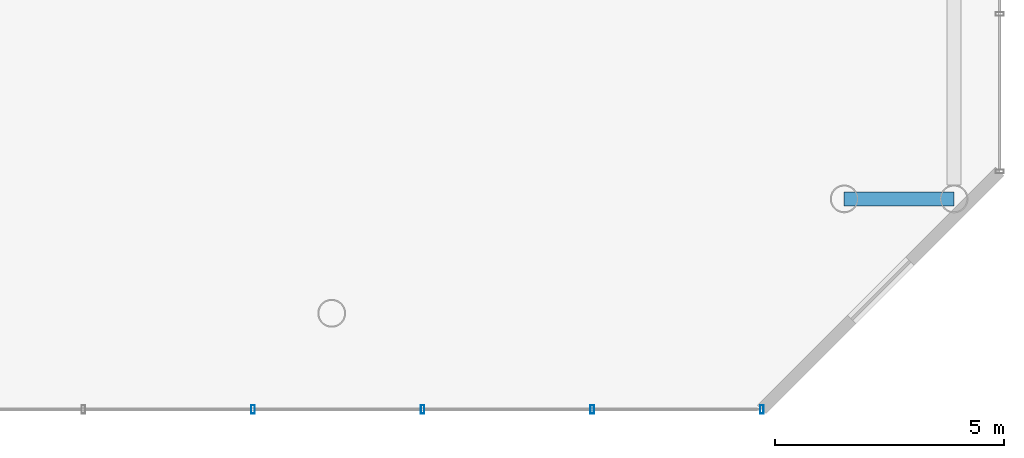
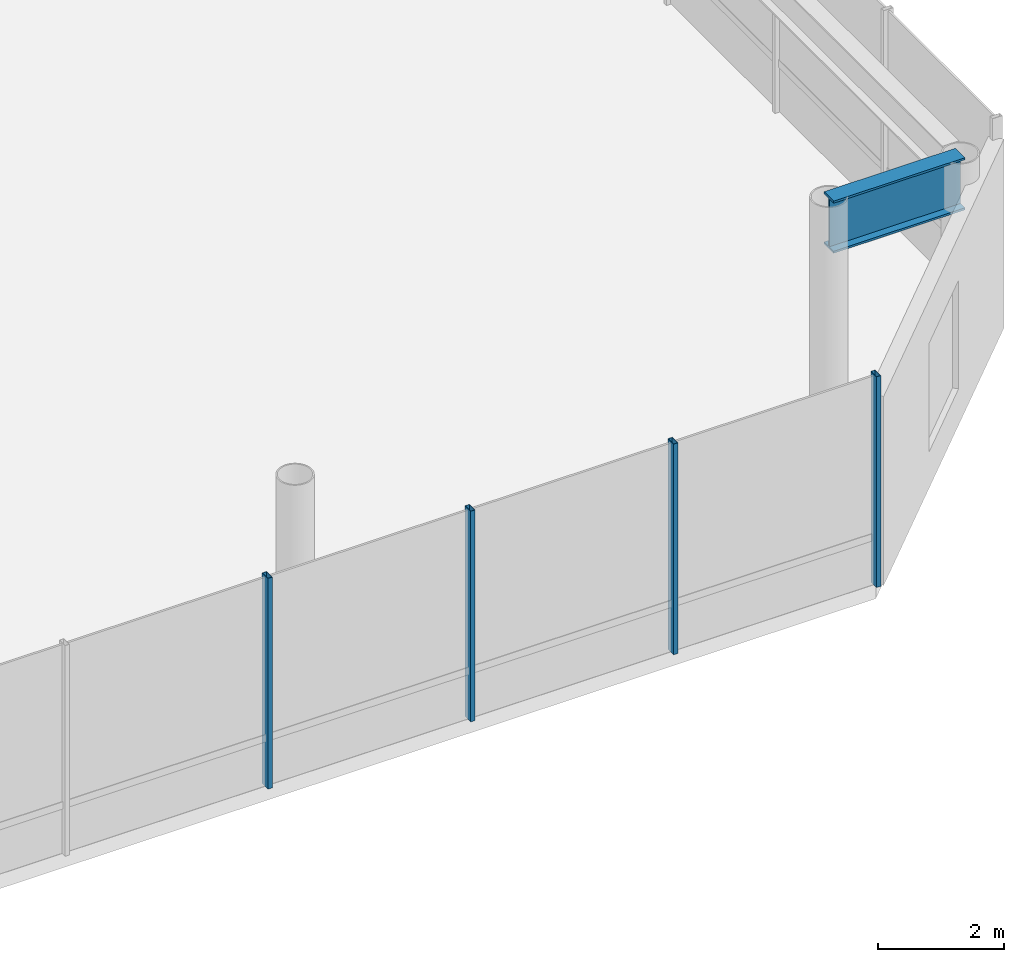
# One storey, part 14 of 33: 4 members, 1 beam, 1 element without a shape of its own.
"""IFC4 building model written with IfcOpenShell, lengths in metres."""

from ifc_helpers import new_model, si_unit, direction, frame, origin, origin_2d, place, context, subcontext, project, spatial, hollow_rectangle, i_section, extrude, material, layer, layer_set, material_profile, profile_set, type_object, element, aggregate, save


model = new_model("IFC4")

# Units and contexts
model_context = context("Model", 3, precision=1e-05, world=origin(), true_north=direction((0.0, 1.0)))
body_context = subcontext(model_context, "Body", "Model", "MODEL_VIEW")
ifc_project = project(units=[si_unit("LENGTHUNIT", "METRE"), si_unit("AREAUNIT", "SQUARE_METRE"), si_unit("VOLUMEUNIT", "CUBIC_METRE"), si_unit("PLANEANGLEUNIT", "RADIAN"), si_unit("MASSUNIT", "GRAM", prefix="KILO")], contexts=[model_context])

# Site, building, storey
site_placement = place(None, origin())
site = spatial("IfcSite", under=ifc_project, at=site_placement, CompositionType="ELEMENT")
building_placement = place(site_placement, origin())
building = spatial("IfcBuilding", under=site, at=building_placement, Name="Zarrinselat Tower", CompositionType="ELEMENT")
storey_placement = place(building_placement, frame((0.0, 0.0, 18.360107421875)))
storey = spatial("IfcBuildingStorey", under=building, at=storey_placement, Name="L04", CompositionType="ELEMENT", Elevation=18.360107421875)

# Beam
ifc_material_1 = material(Name="Steel S460M", Category="steel")
ifc_material_profile_1 = material_profile(ifc_material_1, i_section(OverallWidth=0.302001953125, OverallDepth=1.008056640625, WebThickness=0.02099609375, FlangeThickness=0.0400390625, at=origin_2d()), Name="HEM 1000")
ifc_profile_set_1 = profile_set([ifc_material_profile_1], Name="Steel S460M")
beam_type = type_object("IfcBeamType", Name="BM-PDTR-HEM1000", PredefinedType="BEAM", material=ifc_profile_set_1)
beam_placement = place(storey_placement, frame((68.0, 11.0, 3.56591796875), z_axis=(1.0, 0.0, 0.0), x_axis=(0.0, 1.0, 0.0)))
element("IfcBeam", 1, at=beam_placement, inside=storey, type_object=beam_type, Name="L04 Podium Transfer Girder E-11", PredefinedType="BEAM", context=body_context, shape_type="SweptSolid", body=[
    extrude(i_section(OverallWidth=0.302001953125, OverallDepth=1.008056640625, WebThickness=0.02099609375, FlangeThickness=0.0400390625, at=origin_2d()), origin(), (0.0, 0.0, 1.0), 2.39990234375),
])

# Curtain wall, members
ifc_material_2 = material(Name="Extruded Aluminium Alloy EN AW-6063 T6", Category="aluminium")
ifc_layer = layer(ifc_material_2, 0.2099609375)
ifc_layer_set = layer_set([ifc_layer], Name="Extruded Aluminium Alloy EN AW-6063 T6")
curtain_wall_type = type_object("IfcCurtainWallType", Name="CWS-POD", PredefinedType="NOTDEFINED", material=ifc_layer_set)
curtain_wall_placement = place(storey_placement, origin())
curtain_wall = element("IfcCurtainWall", 2, at=curtain_wall_placement, inside=storey, type_object=curtain_wall_type, Name="L04 Unitised Curtain Wall CW-L04-F1", PredefinedType="NOTDEFINED")
ifc_material_3 = material(Name="Extruded Aluminium Alloy EN AW-6063 T6", Category="aluminium")
ifc_material_profile_2 = material_profile(ifc_material_3, hollow_rectangle(XDim=0.080078125, YDim=0.179931640625, WallThickness=0.0048828125, at=origin_2d()), Name="RHS 180x80x5")
ifc_profile_set_2 = profile_set([ifc_material_profile_2], Name="Extruded Aluminium Alloy EN AW-6063 T6")
member_type = type_object("IfcMemberType", Name="MEM-CW-MUL", PredefinedType="MULLION", material=ifc_profile_set_2)
member_1_placement = place(storey_placement, frame((55.080078125, 6.39990234375, 0.0), z_axis=(0.0, 0.0, 1.0), x_axis=(1.0, 0.0, 0.0)))
member_1 = element("IfcMember", 3, at=member_1_placement, type_object=member_type, Name="CW-L04-F1 Mullion 13", PredefinedType="MULLION", context=body_context, shape_type="SweptSolid", body=[
    extrude(hollow_rectangle(XDim=0.080078125, YDim=0.179931640625, WallThickness=0.0048828125, at=origin_2d()), origin(), (0.0, 0.0, 1.0), 4.06982421875),
])
member_2_placement = place(storey_placement, frame((58.78662109375, 6.39990234375, 0.0), z_axis=(0.0, 0.0, 1.0), x_axis=(1.0, 0.0, 0.0)))
member_2 = element("IfcMember", 4, at=member_2_placement, type_object=member_type, Name="CW-L04-F1 Mullion 14", PredefinedType="MULLION", context=body_context, shape_type="SweptSolid", body=[
    extrude(hollow_rectangle(XDim=0.080078125, YDim=0.179931640625, WallThickness=0.0048828125, at=origin_2d()), origin(), (0.0, 0.0, 1.0), 4.06982421875),
])
member_3_placement = place(storey_placement, frame((62.493408203125, 6.39990234375, 0.0), z_axis=(0.0, 0.0, 1.0), x_axis=(1.0, 0.0, 0.0)))
member_3 = element("IfcMember", 5, at=member_3_placement, type_object=member_type, Name="CW-L04-F1 Mullion 15", PredefinedType="MULLION", context=body_context, shape_type="SweptSolid", body=[
    extrude(hollow_rectangle(XDim=0.080078125, YDim=0.179931640625, WallThickness=0.0048828125, at=origin_2d()), origin(), (0.0, 0.0, 1.0), 4.06982421875),
])
member_4_placement = place(storey_placement, frame((66.199951171875, 6.39990234375, 0.0), z_axis=(0.0, 0.0, 1.0), x_axis=(1.0, 0.0, 0.0)))
member_4 = element("IfcMember", 6, at=member_4_placement, type_object=member_type, Name="CW-L04-F1 Mullion 16", PredefinedType="MULLION", context=body_context, shape_type="SweptSolid", body=[
    extrude(hollow_rectangle(XDim=0.080078125, YDim=0.179931640625, WallThickness=0.0048828125, at=origin_2d()), origin(), (0.0, 0.0, 1.0), 4.06982421875),
])
aggregate(curtain_wall, [member_1, member_2, member_3, member_4])

save(model, "model.ifc")
